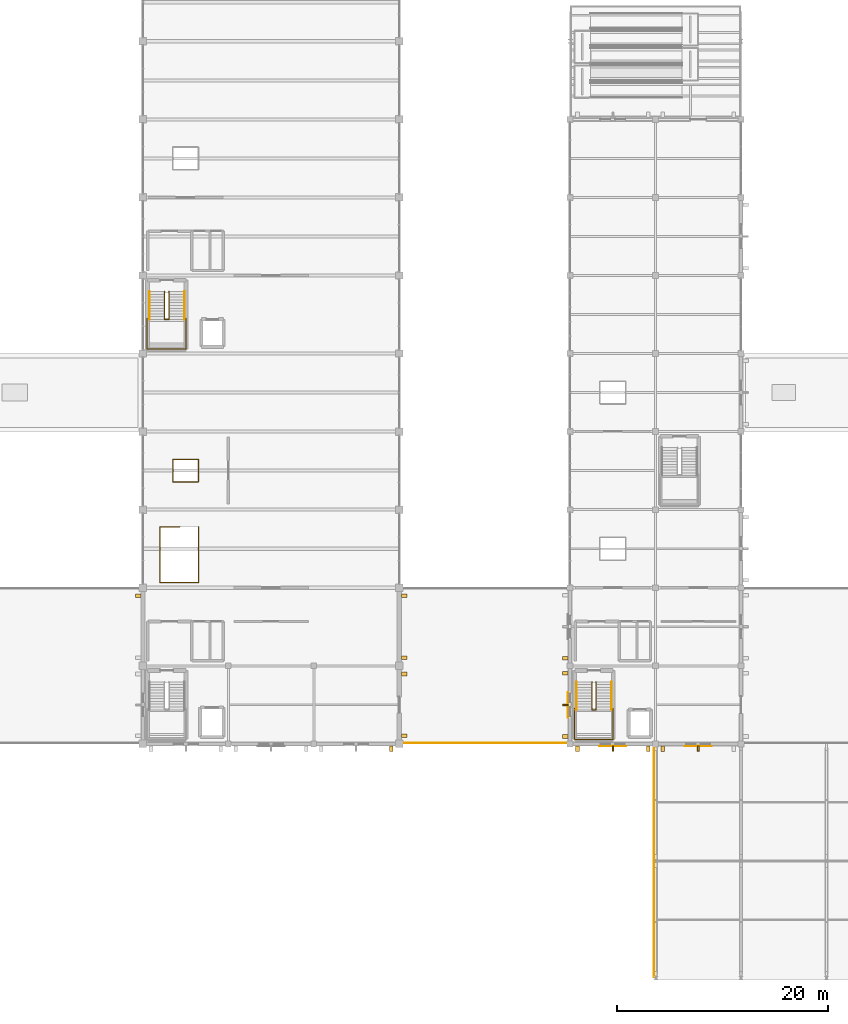
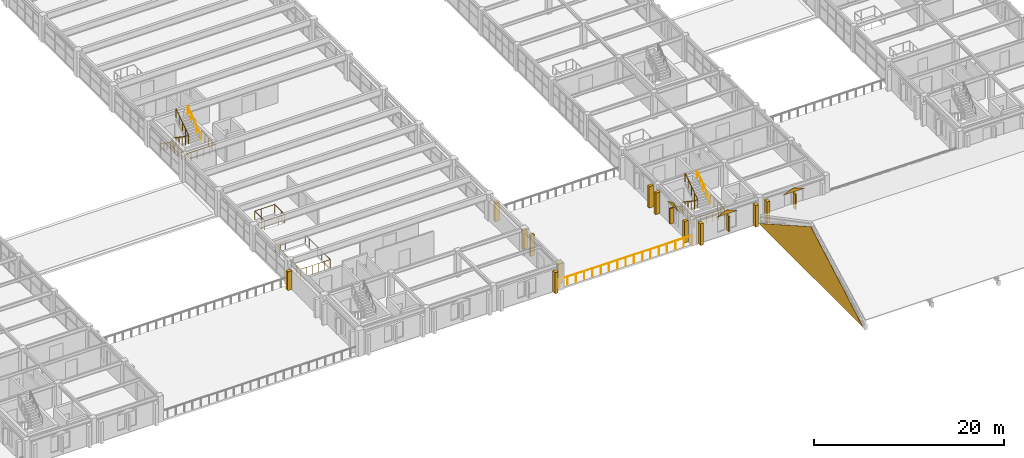
# One storey, part 114 of 121: 15 shading devices, 11 railings, 4 coverings.
"""IFC4 building model written with IfcOpenShell, lengths in metres."""

from ifc_helpers import new_model, si_unit, direction, frame, origin, origin_2d, place, context, subcontext, project, spatial, polyline, rectangle, circle, outline, extrude, material, layer, layer_set, type_object, element, save


model = new_model("IFC4")

# Units and contexts
model_context = context("Model", 3, precision=1e-05, world=origin(), true_north=direction((0.0, 1.0)))
body_context = subcontext(model_context, "Body", "Model", "MODEL_VIEW")
ifc_project = project(units=[si_unit("LENGTHUNIT", "METRE"), si_unit("AREAUNIT", "SQUARE_METRE"), si_unit("VOLUMEUNIT", "CUBIC_METRE"), si_unit("PLANEANGLEUNIT", "RADIAN"), si_unit("MASSUNIT", "GRAM", prefix="KILO")], contexts=[model_context])

# Site, building, storey
site_placement = place(None, origin())
site = spatial("IfcSite", under=ifc_project, at=site_placement, CompositionType="ELEMENT")
building_placement = place(site_placement, origin())
building = spatial("IfcBuilding", under=site, at=building_placement, Name="Cimatlan Art Gallery", CompositionType="ELEMENT")
storey_placement = place(building_placement, frame((0.0, 0.0, 10.199951171875)))
storey = spatial("IfcBuildingStorey", under=building, at=storey_placement, Name="L02", CompositionType="ELEMENT", Elevation=10.199951171875)

# Coverings
ifc_material_1 = material(Name="Queretaro cantera limestone ashlar hood-mould", Category="masonry")
ifc_layer = layer(ifc_material_1, 0.0419921875)
ifc_layer_set = layer_set([ifc_layer], Name="Queretaro cantera limestone ashlar hood-mould")
covering_type = type_object("IfcCoveringType", Name="COV-CLAD-CANTERA-42", PredefinedType="CLADDING", material=ifc_layer_set)
covering_1_placement = place(storey_placement, frame((123.3798828125, 1.800048828125, -0.050048828125), z_axis=(1.0, 0.0, 0.0), x_axis=(0.0, 1.0, 0.0)))
element("IfcCovering", 1, at=covering_1_placement, inside=storey, type_object=covering_type, Name="CLD-GABLE-AUD-W", PredefinedType="CLADDING", context=body_context, shape_type="SweptSolid", body=[
    extrude(outline(polyline([(0.0, 0.0), (22.0, 0.0), (11.0, 6.25), (0.0, 0.0)])), origin(), (0.0, 0.0, -1.0), 0.0419921875),
])
covering_2_placement = place(storey_placement, frame((120.72998046875, 23.721923828125, 2.610107421875), z_axis=(0.0, 1.0, 0.0), x_axis=(-1.0, 0.0, 0.0)))
element("IfcCovering", 2, at=covering_2_placement, inside=storey, type_object=covering_type, Name="CLD-054", PredefinedType="CLADDING", context=body_context, shape_type="SweptSolid", body=[
    extrude(outline(polyline([(0.0, 0.0), (2.56005859375, 0.0), (1.280029296875, 0.52001953125), (0.0, 0.0)])), origin(), (0.0, 0.0, -1.0), 0.0419921875),
])
covering_3_placement = place(storey_placement, frame((115.221923828125, 26.39990234375, 2.630126953125), z_axis=(1.0, 0.0, 0.0), x_axis=(0.0, 1.0, 0.0)))
element("IfcCovering", 3, at=covering_3_placement, inside=storey, type_object=covering_type, Name="CLD-055", PredefinedType="CLADDING", context=body_context, shape_type="SweptSolid", body=[
    extrude(outline(polyline([(0.0, 0.0), (2.400146484375, 0.0), (1.2001953125, 0.52001953125), (0.0, 0.0)])), origin(), (0.0, 0.0, -1.0), 0.0419921875),
])
covering_4_placement = place(storey_placement, frame((128.830078125, 23.721923828125, 2.610107421875), z_axis=(0.0, 1.0, 0.0), x_axis=(-1.0, 0.0, 0.0)))
element("IfcCovering", 4, at=covering_4_placement, inside=storey, type_object=covering_type, Name="CLD-057", PredefinedType="CLADDING", context=body_context, shape_type="SweptSolid", body=[
    extrude(outline(polyline([(0.0, 0.0), (2.56005859375, 0.0), (1.280029296875, 0.52001953125), (0.0, 0.0)])), origin(), (0.0, 0.0, -1.0), 0.0419921875),
])

# Railings
ifc_material_2 = material(Name="Anodised bronze and laminated glass balustrade", Category="glass")
railing_type_1 = type_object("IfcRailingType", Name="RL-BAL-EXT-1100", PredefinedType="BALUSTRADE", material=ifc_material_2)
railing_1_placement = place(storey_placement, frame((99.239990234375, 23.97998046875, 0.0)))
element("IfcRailing", 5, at=railing_1_placement, inside=storey, type_object=railing_type_1, Name="GR-TER-10", PredefinedType="BALUSTRADE", context=body_context, shape_type="SweptSolid", body=[
    extrude(circle(Radius=0.02587890625, at=origin_2d()), frame((0.0, 0.0, 1.09423828125), z_axis=(1.0, 0.0, 0.0), x_axis=(0.0, 1.0, 0.0)), (0.0, 0.0, 1.0), 16.1201171875),
    extrude(circle(Radius=0.02099609375, at=origin_2d()), origin(), (0.0, 0.0, 1.0), 1.068115234375),
    extrude(circle(Radius=0.02099609375, at=origin_2d()), frame((1.007568359375, 0.0, 0.0)), (0.0, 0.0, 1.0), 1.068115234375),
    extrude(circle(Radius=0.02099609375, at=origin_2d()), frame((2.01513671875, 0.0, 0.0)), (0.0, 0.0, 1.0), 1.068115234375),
    extrude(circle(Radius=0.02099609375, at=origin_2d()), frame((3.0224609375, 0.0, 0.0)), (0.0, 0.0, 1.0), 1.068115234375),
    extrude(circle(Radius=0.02099609375, at=origin_2d()), frame((4.030029296875, 0.0, 0.0)), (0.0, 0.0, 1.0), 1.068115234375),
    extrude(circle(Radius=0.02099609375, at=origin_2d()), frame((5.03759765625, 0.0, 0.0)), (0.0, 0.0, 1.0), 1.068115234375),
    extrude(circle(Radius=0.02099609375, at=origin_2d()), frame((6.044921875, 0.0, 0.0)), (0.0, 0.0, 1.0), 1.068115234375),
    extrude(circle(Radius=0.02099609375, at=origin_2d()), frame((7.052490234375, 0.0, 0.0)), (0.0, 0.0, 1.0), 1.068115234375),
    extrude(circle(Radius=0.02099609375, at=origin_2d()), frame((8.06005859375, 0.0, 0.0)), (0.0, 0.0, 1.0), 1.068115234375),
    extrude(circle(Radius=0.02099609375, at=origin_2d()), frame((9.067626953125, 0.0, 0.0)), (0.0, 0.0, 1.0), 1.068115234375),
    extrude(circle(Radius=0.02099609375, at=origin_2d()), frame((10.0751953125, 0.0, 0.0)), (0.0, 0.0, 1.0), 1.068115234375),
    extrude(circle(Radius=0.02099609375, at=origin_2d()), frame((11.08251953125, 0.0, 0.0)), (0.0, 0.0, 1.0), 1.068115234375),
    extrude(circle(Radius=0.02099609375, at=origin_2d()), frame((12.090087890625, 0.0, 0.0)), (0.0, 0.0, 1.0), 1.068115234375),
    extrude(circle(Radius=0.02099609375, at=origin_2d()), frame((13.09765625, 0.0, 0.0)), (0.0, 0.0, 1.0), 1.068115234375),
    extrude(circle(Radius=0.02099609375, at=origin_2d()), frame((14.10498046875, 0.0, 0.0)), (0.0, 0.0, 1.0), 1.068115234375),
    extrude(circle(Radius=0.02099609375, at=origin_2d()), frame((15.112548828125, 0.0, 0.0)), (0.0, 0.0, 1.0), 1.068115234375),
    extrude(circle(Radius=0.02099609375, at=origin_2d()), frame((16.1201171875, 0.0, 0.0)), (0.0, 0.0, 1.0), 1.068115234375),
])
ifc_material_3 = material(Name="Painted steel and bronze interior balustrade", Category="steel")
railing_type_2 = type_object("IfcRailingType", Name="RL-BAL-INT-1120", PredefinedType="BALUSTRADE", material=ifc_material_3)
railing_2_placement = place(storey_placement, frame((115.81005859375, 27.239990234375, 1.800048828125)))
element("IfcRailing", 6, at=railing_2_placement, inside=storey, type_object=railing_type_2, Name="STR-C4-L02-LGRD", PredefinedType="BALUSTRADE", context=body_context, shape_type="SweptSolid", body=[
    extrude(circle(Radius=0.02392578125, at=origin_2d()), frame((0.0, 0.0, 1.09619140625), z_axis=(0.0, -1.0, 0.0), x_axis=(1.0, 0.0, 0.0)), (0.0, 0.0, 1.0), 2.929931640625),
    extrude(circle(Radius=0.02392578125, at=origin_2d()), frame((0.0, -2.929931640625, 1.09619140625), z_axis=(1.0, 0.0, 0.0), x_axis=(0.0, 1.0, 0.0)), (0.0, 0.0, 1.0), 3.669921875),
    extrude(circle(Radius=0.02392578125, at=origin_2d()), frame((3.669921875, -2.929931640625, 1.09619140625), z_axis=(0.0, 1.0, 0.0), x_axis=(-1.0, 0.0, 0.0)), (0.0, 0.0, 1.0), 2.929931640625),
    extrude(circle(Radius=0.02001953125, at=origin_2d()), origin(), (0.0, 0.0, 1.0), 1.072021484375),
    extrude(circle(Radius=0.02001953125, at=origin_2d()), frame((0.0, -0.732421875, 0.0)), (0.0, 0.0, 1.0), 1.072021484375),
    extrude(circle(Radius=0.02001953125, at=origin_2d()), frame((0.0, -1.46484375, 0.0)), (0.0, 0.0, 1.0), 1.072021484375),
    extrude(circle(Radius=0.02001953125, at=origin_2d()), frame((0.0, -2.197509765625, 0.0)), (0.0, 0.0, 1.0), 1.072021484375),
    extrude(circle(Radius=0.02001953125, at=origin_2d()), frame((0.0, -2.929931640625, 0.0)), (0.0, 0.0, 1.0), 1.072021484375),
    extrude(circle(Radius=0.02001953125, at=origin_2d()), frame((0.73388671875, -2.929931640625, 0.0)), (0.0, 0.0, 1.0), 1.072021484375),
    extrude(circle(Radius=0.02001953125, at=origin_2d()), frame((1.468017578125, -2.929931640625, 0.0)), (0.0, 0.0, 1.0), 1.072021484375),
    extrude(circle(Radius=0.02001953125, at=origin_2d()), frame((2.201904296875, -2.929931640625, 0.0)), (0.0, 0.0, 1.0), 1.072021484375),
    extrude(circle(Radius=0.02001953125, at=origin_2d()), frame((2.93603515625, -2.929931640625, 0.0)), (0.0, 0.0, 1.0), 1.072021484375),
    extrude(circle(Radius=0.02001953125, at=origin_2d()), frame((3.669921875, -2.929931640625, 0.0)), (0.0, 0.0, 1.0), 1.072021484375),
    extrude(circle(Radius=0.02001953125, at=origin_2d()), frame((3.669921875, -2.197509765625, 0.0)), (0.0, 0.0, 1.0), 1.072021484375),
    extrude(circle(Radius=0.02001953125, at=origin_2d()), frame((3.669921875, -1.46484375, 0.0)), (0.0, 0.0, 1.0), 1.072021484375),
    extrude(circle(Radius=0.02001953125, at=origin_2d()), frame((3.669921875, -0.732421875, 0.0)), (0.0, 0.0, 1.0), 1.072021484375),
    extrude(circle(Radius=0.02001953125, at=origin_2d()), frame((3.669921875, 0.0, 0.0)), (0.0, 0.0, 1.0), 1.072021484375),
])
railing_3_placement = place(storey_placement, frame((117.469970703125, 29.780029296875, 0.0)))
element("IfcRailing", 7, at=railing_3_placement, inside=storey, type_object=railing_type_2, Name="STR-C4-L02-GRD", PredefinedType="BALUSTRADE", context=body_context, shape_type="SweptSolid", body=[
    extrude(circle(Radius=0.02392578125, at=origin_2d()), frame((0.0, 0.0, 1.09619140625), z_axis=(0.0, -0.827224042694, 0.561872212509), x_axis=(1.0, 0.0, 0.0)), (0.0, 0.0, 1.0), 3.20361328125),
    extrude(circle(Radius=0.02392578125, at=origin_2d()), frame((0.0, -2.650146484375, 2.89599609375), z_axis=(1.0, 0.0, 0.0), x_axis=(0.0, 1.0, 0.0)), (0.0, 0.0, 1.0), 0.400146484375),
    extrude(circle(Radius=0.02392578125, at=origin_2d()), frame((0.400146484375, -2.650146484375, 2.89599609375), z_axis=(0.0, 0.827224042694, 0.561872212509), x_axis=(-1.0, 0.0, 0.0)), (0.0, 0.0, 1.0), 3.20361328125),
    extrude(circle(Radius=0.02001953125, at=origin_2d()), origin(), (0.0, 0.0, 1.0), 1.072021484375),
    extrude(circle(Radius=0.02001953125, at=origin_2d()), frame((0.0, -0.66259765625, 0.449951171875)), (0.0, 0.0, 1.0), 1.072021484375),
    extrude(circle(Radius=0.02001953125, at=origin_2d()), frame((0.0, -1.3251953125, 0.89990234375)), (0.0, 0.0, 1.0), 1.072021484375),
    extrude(circle(Radius=0.02001953125, at=origin_2d()), frame((0.0, -1.987548828125, 1.35009765625)), (0.0, 0.0, 1.0), 1.072021484375),
    extrude(circle(Radius=0.02001953125, at=origin_2d()), frame((0.0, -2.650146484375, 1.800048828125)), (0.0, 0.0, 1.0), 1.072021484375),
    extrude(circle(Radius=0.02001953125, at=origin_2d()), frame((0.400146484375, -2.650146484375, 1.800048828125)), (0.0, 0.0, 1.0), 1.072021484375),
    extrude(circle(Radius=0.02001953125, at=origin_2d()), frame((0.400146484375, -1.987548828125, 2.25)), (0.0, 0.0, 1.0), 1.072021484375),
    extrude(circle(Radius=0.02001953125, at=origin_2d()), frame((0.400146484375, -1.3251953125, 2.7001953125)), (0.0, 0.0, 1.0), 1.072021484375),
    extrude(circle(Radius=0.02001953125, at=origin_2d()), frame((0.400146484375, -0.66259765625, 3.150146484375)), (0.0, 0.0, 1.0), 1.072021484375),
    extrude(circle(Radius=0.02001953125, at=origin_2d()), frame((0.400146484375, 0.0, 3.60009765625)), (0.0, 0.0, 1.0), 1.072021484375),
])
railing_4_placement = place(storey_placement, frame((75.31005859375, 64.239990234375, 1.800048828125)))
element("IfcRailing", 8, at=railing_4_placement, inside=storey, type_object=railing_type_2, Name="STR-C6-L02-LGRD", PredefinedType="BALUSTRADE", context=body_context, shape_type="SweptSolid", body=[
    extrude(circle(Radius=0.02392578125, at=origin_2d()), frame((0.0, 0.0, 1.09619140625), z_axis=(0.0, -1.0, 0.0), x_axis=(1.0, 0.0, 0.0)), (0.0, 0.0, 1.0), 2.929931640625),
    extrude(circle(Radius=0.02392578125, at=origin_2d()), frame((0.0, -2.929931640625, 1.09619140625), z_axis=(1.0, 0.0, 0.0), x_axis=(0.0, 1.0, 0.0)), (0.0, 0.0, 1.0), 3.669921875),
    extrude(circle(Radius=0.02392578125, at=origin_2d()), frame((3.669921875, -2.929931640625, 1.09619140625), z_axis=(0.0, 1.0, 0.0), x_axis=(-1.0, 0.0, 0.0)), (0.0, 0.0, 1.0), 2.929931640625),
    extrude(circle(Radius=0.02001953125, at=origin_2d()), origin(), (0.0, 0.0, 1.0), 1.072021484375),
    extrude(circle(Radius=0.02001953125, at=origin_2d()), frame((0.0, -0.732421875, 0.0)), (0.0, 0.0, 1.0), 1.072021484375),
    extrude(circle(Radius=0.02001953125, at=origin_2d()), frame((0.0, -1.46484375, 0.0)), (0.0, 0.0, 1.0), 1.072021484375),
    extrude(circle(Radius=0.02001953125, at=origin_2d()), frame((0.0, -2.197509765625, 0.0)), (0.0, 0.0, 1.0), 1.072021484375),
    extrude(circle(Radius=0.02001953125, at=origin_2d()), frame((0.0, -2.929931640625, 0.0)), (0.0, 0.0, 1.0), 1.072021484375),
    extrude(circle(Radius=0.02001953125, at=origin_2d()), frame((0.73388671875, -2.929931640625, 0.0)), (0.0, 0.0, 1.0), 1.072021484375),
    extrude(circle(Radius=0.02001953125, at=origin_2d()), frame((1.468017578125, -2.929931640625, 0.0)), (0.0, 0.0, 1.0), 1.072021484375),
    extrude(circle(Radius=0.02001953125, at=origin_2d()), frame((2.201904296875, -2.929931640625, 0.0)), (0.0, 0.0, 1.0), 1.072021484375),
    extrude(circle(Radius=0.02001953125, at=origin_2d()), frame((2.93603515625, -2.929931640625, 0.0)), (0.0, 0.0, 1.0), 1.072021484375),
    extrude(circle(Radius=0.02001953125, at=origin_2d()), frame((3.669921875, -2.929931640625, 0.0)), (0.0, 0.0, 1.0), 1.072021484375),
    extrude(circle(Radius=0.02001953125, at=origin_2d()), frame((3.669921875, -2.197509765625, 0.0)), (0.0, 0.0, 1.0), 1.072021484375),
    extrude(circle(Radius=0.02001953125, at=origin_2d()), frame((3.669921875, -1.46484375, 0.0)), (0.0, 0.0, 1.0), 1.072021484375),
    extrude(circle(Radius=0.02001953125, at=origin_2d()), frame((3.669921875, -0.732421875, 0.0)), (0.0, 0.0, 1.0), 1.072021484375),
    extrude(circle(Radius=0.02001953125, at=origin_2d()), frame((3.669921875, 0.0, 0.0)), (0.0, 0.0, 1.0), 1.072021484375),
])
railing_5_placement = place(storey_placement, frame((76.969970703125, 66.780029296875, 0.0)))
element("IfcRailing", 9, at=railing_5_placement, inside=storey, type_object=railing_type_2, Name="STR-C6-L02-GRD", PredefinedType="BALUSTRADE", context=body_context, shape_type="SweptSolid", body=[
    extrude(circle(Radius=0.02392578125, at=origin_2d()), frame((0.0, 0.0, 1.09619140625), z_axis=(0.0, -0.827224042694, 0.561872212509), x_axis=(1.0, 0.0, 0.0)), (0.0, 0.0, 1.0), 3.20361328125),
    extrude(circle(Radius=0.02392578125, at=origin_2d()), frame((0.0, -2.650146484375, 2.89599609375), z_axis=(1.0, 0.0, 0.0), x_axis=(0.0, 1.0, 0.0)), (0.0, 0.0, 1.0), 0.400146484375),
    extrude(circle(Radius=0.02392578125, at=origin_2d()), frame((0.400146484375, -2.650146484375, 2.89599609375), z_axis=(0.0, 0.827224042694, 0.561872212509), x_axis=(-1.0, 0.0, 0.0)), (0.0, 0.0, 1.0), 3.20361328125),
    extrude(circle(Radius=0.02001953125, at=origin_2d()), origin(), (0.0, 0.0, 1.0), 1.072021484375),
    extrude(circle(Radius=0.02001953125, at=origin_2d()), frame((0.0, -0.66259765625, 0.449951171875)), (0.0, 0.0, 1.0), 1.072021484375),
    extrude(circle(Radius=0.02001953125, at=origin_2d()), frame((0.0, -1.3251953125, 0.89990234375)), (0.0, 0.0, 1.0), 1.072021484375),
    extrude(circle(Radius=0.02001953125, at=origin_2d()), frame((0.0, -1.987548828125, 1.35009765625)), (0.0, 0.0, 1.0), 1.072021484375),
    extrude(circle(Radius=0.02001953125, at=origin_2d()), frame((0.0, -2.650146484375, 1.800048828125)), (0.0, 0.0, 1.0), 1.072021484375),
    extrude(circle(Radius=0.02001953125, at=origin_2d()), frame((0.400146484375, -2.650146484375, 1.800048828125)), (0.0, 0.0, 1.0), 1.072021484375),
    extrude(circle(Radius=0.02001953125, at=origin_2d()), frame((0.400146484375, -1.987548828125, 2.25)), (0.0, 0.0, 1.0), 1.072021484375),
    extrude(circle(Radius=0.02001953125, at=origin_2d()), frame((0.400146484375, -1.3251953125, 2.7001953125)), (0.0, 0.0, 1.0), 1.072021484375),
    extrude(circle(Radius=0.02001953125, at=origin_2d()), frame((0.400146484375, -0.66259765625, 3.150146484375)), (0.0, 0.0, 1.0), 1.072021484375),
    extrude(circle(Radius=0.02001953125, at=origin_2d()), frame((0.400146484375, 0.0, 3.60009765625)), (0.0, 0.0, 1.0), 1.072021484375),
])
railing_6_placement = place(storey_placement, frame((78.39990234375, 44.47998046875, 0.0)))
element("IfcRailing", 10, at=railing_6_placement, inside=storey, type_object=railing_type_2, Name="GR-FS95-L02", PredefinedType="BALUSTRADE", context=body_context, shape_type="SweptSolid", body=[
    extrude(circle(Radius=0.02392578125, at=origin_2d()), frame((0.0, 0.0, 1.09619140625), z_axis=(-1.0, 0.0, 0.0), x_axis=(0.0, -1.0, 0.0)), (0.0, 0.0, 1.0), 1.869873046875),
    extrude(circle(Radius=0.02392578125, at=origin_2d()), frame((-1.869873046875, 0.0, 1.09619140625), z_axis=(0.0, -1.0, 0.0), x_axis=(1.0, 0.0, 0.0)), (0.0, 0.0, 1.0), 5.300048828125),
    extrude(circle(Radius=0.02392578125, at=origin_2d()), frame((-1.869873046875, -5.300048828125, 1.09619140625), z_axis=(1.0, 0.0, 0.0), x_axis=(0.0, 1.0, 0.0)), (0.0, 0.0, 1.0), 3.639892578125),
    extrude(circle(Radius=0.02392578125, at=origin_2d()), frame((1.77001953125, -5.300048828125, 1.09619140625), z_axis=(0.0, 1.0, 0.0), x_axis=(-1.0, 0.0, 0.0)), (0.0, 0.0, 1.0), 5.300048828125),
    extrude(circle(Radius=0.02001953125, at=origin_2d()), origin(), (0.0, 0.0, 1.0), 1.072021484375),
    extrude(circle(Radius=0.02001953125, at=origin_2d()), frame((-0.623291015625, 0.0, 0.0)), (0.0, 0.0, 1.0), 1.072021484375),
    extrude(circle(Radius=0.02001953125, at=origin_2d()), frame((-1.24658203125, 0.0, 0.0)), (0.0, 0.0, 1.0), 1.072021484375),
    extrude(circle(Radius=0.02001953125, at=origin_2d()), frame((-1.869873046875, 0.0, 0.0)), (0.0, 0.0, 1.0), 1.072021484375),
    extrude(circle(Radius=0.02001953125, at=origin_2d()), frame((-1.869873046875, -0.88330078125, 0.0)), (0.0, 0.0, 1.0), 1.072021484375),
    extrude(circle(Radius=0.02001953125, at=origin_2d()), frame((-1.869873046875, -1.7666015625, 0.0)), (0.0, 0.0, 1.0), 1.072021484375),
    extrude(circle(Radius=0.02001953125, at=origin_2d()), frame((-1.869873046875, -2.64990234375, 0.0)), (0.0, 0.0, 1.0), 1.072021484375),
    extrude(circle(Radius=0.02001953125, at=origin_2d()), frame((-1.869873046875, -3.533447265625, 0.0)), (0.0, 0.0, 1.0), 1.072021484375),
    extrude(circle(Radius=0.02001953125, at=origin_2d()), frame((-1.869873046875, -4.416748046875, 0.0)), (0.0, 0.0, 1.0), 1.072021484375),
    extrude(circle(Radius=0.02001953125, at=origin_2d()), frame((-1.869873046875, -5.300048828125, 0.0)), (0.0, 0.0, 1.0), 1.072021484375),
    extrude(circle(Radius=0.02001953125, at=origin_2d()), frame((-1.141845703125, -5.300048828125, 0.0)), (0.0, 0.0, 1.0), 1.072021484375),
    extrude(circle(Radius=0.02001953125, at=origin_2d()), frame((-0.413818359375, -5.300048828125, 0.0)), (0.0, 0.0, 1.0), 1.072021484375),
    extrude(circle(Radius=0.02001953125, at=origin_2d()), frame((0.31396484375, -5.300048828125, 0.0)), (0.0, 0.0, 1.0), 1.072021484375),
    extrude(circle(Radius=0.02001953125, at=origin_2d()), frame((1.0419921875, -5.300048828125, 0.0)), (0.0, 0.0, 1.0), 1.072021484375),
    extrude(circle(Radius=0.02001953125, at=origin_2d()), frame((1.77001953125, -5.300048828125, 0.0)), (0.0, 0.0, 1.0), 1.072021484375),
    extrude(circle(Radius=0.02001953125, at=origin_2d()), frame((1.77001953125, -4.416748046875, 0.0)), (0.0, 0.0, 1.0), 1.072021484375),
    extrude(circle(Radius=0.02001953125, at=origin_2d()), frame((1.77001953125, -3.533447265625, 0.0)), (0.0, 0.0, 1.0), 1.072021484375),
    extrude(circle(Radius=0.02001953125, at=origin_2d()), frame((1.77001953125, -2.64990234375, 0.0)), (0.0, 0.0, 1.0), 1.072021484375),
    extrude(circle(Radius=0.02001953125, at=origin_2d()), frame((1.77001953125, -1.7666015625, 0.0)), (0.0, 0.0, 1.0), 1.072021484375),
    extrude(circle(Radius=0.02001953125, at=origin_2d()), frame((1.77001953125, -0.88330078125, 0.0)), (0.0, 0.0, 1.0), 1.072021484375),
    extrude(circle(Radius=0.02001953125, at=origin_2d()), frame((1.77001953125, 0.0, 0.0)), (0.0, 0.0, 1.0), 1.072021484375),
])
railing_7_placement = place(storey_placement, frame((77.739990234375, 48.739990234375, 0.0)))
element("IfcRailing", 11, at=railing_7_placement, inside=storey, type_object=railing_type_2, Name="GR-OCU-L02-B3S", PredefinedType="BALUSTRADE", context=body_context, shape_type="SweptSolid", body=[
    extrude(circle(Radius=0.02392578125, at=origin_2d()), frame((0.0, 0.0, 1.09619140625), z_axis=(1.0, 0.0, 0.0), x_axis=(0.0, 1.0, 0.0)), (0.0, 0.0, 1.0), 2.419921875),
    extrude(circle(Radius=0.02392578125, at=origin_2d()), frame((2.419921875, 0.0, 1.09619140625), z_axis=(0.0, 1.0, 0.0), x_axis=(-1.0, 0.0, 0.0)), (0.0, 0.0, 1.0), 2.1201171875),
    extrude(circle(Radius=0.02392578125, at=origin_2d()), frame((2.419921875, 2.1201171875, 1.09619140625), z_axis=(-1.0, 0.0, 0.0), x_axis=(0.0, -1.0, 0.0)), (0.0, 0.0, 1.0), 2.419921875),
    extrude(circle(Radius=0.02392578125, at=origin_2d()), frame((0.0, 2.1201171875, 1.09619140625), z_axis=(0.0, -1.0, 0.0), x_axis=(1.0, 0.0, 0.0)), (0.0, 0.0, 1.0), 2.080078125),
    extrude(circle(Radius=0.02001953125, at=origin_2d()), origin(), (0.0, 0.0, 1.0), 1.072021484375),
    extrude(circle(Radius=0.02001953125, at=origin_2d()), frame((0.806640625, 0.0, 0.0)), (0.0, 0.0, 1.0), 1.072021484375),
    extrude(circle(Radius=0.02001953125, at=origin_2d()), frame((1.61328125, 0.0, 0.0)), (0.0, 0.0, 1.0), 1.072021484375),
    extrude(circle(Radius=0.02001953125, at=origin_2d()), frame((2.419921875, 0.0, 0.0)), (0.0, 0.0, 1.0), 1.072021484375),
    extrude(circle(Radius=0.02001953125, at=origin_2d()), frame((2.419921875, 0.706787109375, 0.0)), (0.0, 0.0, 1.0), 1.072021484375),
    extrude(circle(Radius=0.02001953125, at=origin_2d()), frame((2.419921875, 1.413330078125, 0.0)), (0.0, 0.0, 1.0), 1.072021484375),
    extrude(circle(Radius=0.02001953125, at=origin_2d()), frame((2.419921875, 2.1201171875, 0.0)), (0.0, 0.0, 1.0), 1.072021484375),
    extrude(circle(Radius=0.02001953125, at=origin_2d()), frame((1.61328125, 2.1201171875, 0.0)), (0.0, 0.0, 1.0), 1.072021484375),
    extrude(circle(Radius=0.02001953125, at=origin_2d()), frame((0.806640625, 2.1201171875, 0.0)), (0.0, 0.0, 1.0), 1.072021484375),
    extrude(circle(Radius=0.02001953125, at=origin_2d()), frame((0.0, 2.1201171875, 0.0)), (0.0, 0.0, 1.0), 1.072021484375),
    extrude(circle(Radius=0.02001953125, at=origin_2d()), frame((0.0, 1.4267578125, 0.0)), (0.0, 0.0, 1.0), 1.072021484375),
    extrude(circle(Radius=0.02001953125, at=origin_2d()), frame((0.0, 0.7333984375, 0.0)), (0.0, 0.0, 1.0), 1.072021484375),
    extrude(circle(Radius=0.02001953125, at=origin_2d()), frame((0.0, 0.0400390625, 0.0)), (0.0, 0.0, 1.0), 1.072021484375),
])
ifc_material_4 = material(Name="Brushed bronze stair handrail")
railing_type_3 = type_object("IfcRailingType", Name="RL-HND-INT-920", PredefinedType="HANDRAIL", material=ifc_material_4)
railing_8_placement = place(storey_placement, frame((116.010009765625, 29.780029296875, 0.0)))
element("IfcRailing", 12, at=railing_8_placement, inside=storey, type_object=railing_type_3, Name="STR-C4-L02-HR1", PredefinedType="HANDRAIL", context=body_context, shape_type="SweptSolid", body=[
    extrude(circle(Radius=0.02197265625, at=origin_2d()), frame((0.0, 0.0, 0.89794921875), z_axis=(0.0, -0.827224042694, 0.561872212509), x_axis=(1.0, 0.0, 0.0)), (0.0, 0.0, 1.0), 3.20361328125),
    extrude(circle(Radius=0.01904296875, at=origin_2d()), origin(), (0.0, 0.0, 1.0), 0.8759765625),
    extrude(circle(Radius=0.01904296875, at=origin_2d()), frame((0.0, -0.66259765625, 0.449951171875)), (0.0, 0.0, 1.0), 0.8759765625),
    extrude(circle(Radius=0.01904296875, at=origin_2d()), frame((0.0, -1.3251953125, 0.89990234375)), (0.0, 0.0, 1.0), 0.8759765625),
    extrude(circle(Radius=0.01904296875, at=origin_2d()), frame((0.0, -1.987548828125, 1.35009765625)), (0.0, 0.0, 1.0), 0.8759765625),
    extrude(circle(Radius=0.01904296875, at=origin_2d()), frame((0.0, -2.650146484375, 1.800048828125)), (0.0, 0.0, 1.0), 0.8759765625),
])
railing_9_placement = place(storey_placement, frame((119.330078125, 27.1298828125, 1.800048828125)))
element("IfcRailing", 13, at=railing_9_placement, inside=storey, type_object=railing_type_3, Name="STR-C4-L02-HR2", PredefinedType="HANDRAIL", context=body_context, shape_type="SweptSolid", body=[
    extrude(circle(Radius=0.02197265625, at=origin_2d()), frame((0.0, 0.0, 0.89794921875), z_axis=(0.0, 0.827224042694, 0.561872212509), x_axis=(-1.0, 0.0, 0.0)), (0.0, 0.0, 1.0), 3.20361328125),
    extrude(circle(Radius=0.01904296875, at=origin_2d()), origin(), (0.0, 0.0, 1.0), 0.8759765625),
    extrude(circle(Radius=0.01904296875, at=origin_2d()), frame((0.0, 0.66259765625, 0.449951171875)), (0.0, 0.0, 1.0), 0.8759765625),
    extrude(circle(Radius=0.01904296875, at=origin_2d()), frame((0.0, 1.3251953125, 0.89990234375)), (0.0, 0.0, 1.0), 0.8759765625),
    extrude(circle(Radius=0.01904296875, at=origin_2d()), frame((0.0, 1.987548828125, 1.35009765625)), (0.0, 0.0, 1.0), 0.8759765625),
    extrude(circle(Radius=0.01904296875, at=origin_2d()), frame((0.0, 2.650146484375, 1.800048828125)), (0.0, 0.0, 1.0), 0.8759765625),
])
railing_10_placement = place(storey_placement, frame((75.510009765625, 66.780029296875, 0.0)))
element("IfcRailing", 14, at=railing_10_placement, inside=storey, type_object=railing_type_3, Name="STR-C6-L02-HR1", PredefinedType="HANDRAIL", context=body_context, shape_type="SweptSolid", body=[
    extrude(circle(Radius=0.02197265625, at=origin_2d()), frame((0.0, 0.0, 0.89794921875), z_axis=(0.0, -0.827224042694, 0.561872212509), x_axis=(1.0, 0.0, 0.0)), (0.0, 0.0, 1.0), 3.20361328125),
    extrude(circle(Radius=0.01904296875, at=origin_2d()), origin(), (0.0, 0.0, 1.0), 0.8759765625),
    extrude(circle(Radius=0.01904296875, at=origin_2d()), frame((0.0, -0.66259765625, 0.449951171875)), (0.0, 0.0, 1.0), 0.8759765625),
    extrude(circle(Radius=0.01904296875, at=origin_2d()), frame((0.0, -1.3251953125, 0.89990234375)), (0.0, 0.0, 1.0), 0.8759765625),
    extrude(circle(Radius=0.01904296875, at=origin_2d()), frame((0.0, -1.987548828125, 1.35009765625)), (0.0, 0.0, 1.0), 0.8759765625),
    extrude(circle(Radius=0.01904296875, at=origin_2d()), frame((0.0, -2.650146484375, 1.800048828125)), (0.0, 0.0, 1.0), 0.8759765625),
])
railing_11_placement = place(storey_placement, frame((78.830078125, 64.1298828125, 1.800048828125)))
element("IfcRailing", 15, at=railing_11_placement, inside=storey, type_object=railing_type_3, Name="STR-C6-L02-HR2", PredefinedType="HANDRAIL", context=body_context, shape_type="SweptSolid", body=[
    extrude(circle(Radius=0.02197265625, at=origin_2d()), frame((0.0, 0.0, 0.89794921875), z_axis=(0.0, 0.827224042694, 0.561872212509), x_axis=(-1.0, 0.0, 0.0)), (0.0, 0.0, 1.0), 3.20361328125),
    extrude(circle(Radius=0.01904296875, at=origin_2d()), origin(), (0.0, 0.0, 1.0), 0.8759765625),
    extrude(circle(Radius=0.01904296875, at=origin_2d()), frame((0.0, 0.66259765625, 0.449951171875)), (0.0, 0.0, 1.0), 0.8759765625),
    extrude(circle(Radius=0.01904296875, at=origin_2d()), frame((0.0, 1.3251953125, 0.89990234375)), (0.0, 0.0, 1.0), 0.8759765625),
    extrude(circle(Radius=0.01904296875, at=origin_2d()), frame((0.0, 1.987548828125, 1.35009765625)), (0.0, 0.0, 1.0), 0.8759765625),
    extrude(circle(Radius=0.01904296875, at=origin_2d()), frame((0.0, 2.650146484375, 1.800048828125)), (0.0, 0.0, 1.0), 0.8759765625),
])

# Shading devices
ifc_material_5 = material(Name="Queretaro cantera limestone buttress pilaster", Category="masonry")
shading_device_type_1 = type_object("IfcShadingDeviceType", Name="SHD-BUT-520", PredefinedType="USERDEFINED", material=ifc_material_5)
shading_device_1_placement = place(storey_placement, frame((74.44189453125, 37.926025390625, 0.06005859375), z_axis=(0.0, 0.0, 1.0), x_axis=(0.0, 1.0, 0.0)))
element("IfcShadingDevice", 16, at=shading_device_1_placement, inside=storey, type_object=shading_device_type_1, Name="BUT-0276", ObjectType="FIN", PredefinedType="USERDEFINED", context=body_context, shape_type="SweptSolid", body=[
    extrude(rectangle(XDim=0.340087890625, YDim=0.52001953125, at=origin_2d()), origin(), (0.0, 0.0, 1.0), 2.388916015625),
])
for number, where, z_axis, x_axis, name in (
    (17, (98.426025390625, 23.44189453125, 0.06005859375), (0.0, 0.0, 1.0), (-1.0, 0.0, 0.0), "BUT-0283"),
    (18, (99.657958984375, 30.52587890625, 0.06005859375), (0.0, 0.0, 1.0), (0.0, -1.0, 0.0), "BUT-0285"),
    (19, (99.657958984375, 24.674072265625, 0.06005859375), (0.0, 0.0, 1.0), (0.0, -1.0, 0.0), "BUT-0286"),
):
    element("IfcShadingDevice", number, at=place(storey_placement, frame(where, z_axis=z_axis, x_axis=x_axis)), inside=storey, type_object=shading_device_type_1, Name=name, ObjectType="FIN", PredefinedType="USERDEFINED", context=body_context, shape_type="SweptSolid", body=[
        extrude(rectangle(XDim=0.340087890625, YDim=0.52001953125, at=origin_2d()), origin(), (0.0, 0.0, 1.0), 2.701904296875),
    ])
for number, where, z_axis, x_axis, name in (
    (20, (99.657958984375, 37.926025390625, 0.06005859375), (0.0, 0.0, 1.0), (0.0, -1.0, 0.0), "BUT-0287"),
    (21, (99.657958984375, 32.073974609375, 0.06005859375), (0.0, 0.0, 1.0), (0.0, -1.0, 0.0), "BUT-0288"),
):
    element("IfcShadingDevice", number, at=place(storey_placement, frame(where, z_axis=z_axis, x_axis=x_axis)), inside=storey, type_object=shading_device_type_1, Name=name, ObjectType="FIN", PredefinedType="USERDEFINED", context=body_context, shape_type="SweptSolid", body=[
        extrude(rectangle(XDim=0.340087890625, YDim=0.52001953125, at=origin_2d()), origin(), (0.0, 0.0, 1.0), 2.388916015625),
    ])
for number, where, z_axis, x_axis, name in (
    (22, (122.801025390625, 23.44189453125, 0.06005859375), (0.0, 0.0, 1.0), (-1.0, 0.0, 0.0), "BUT-0291"),
    (23, (116.09912109375, 23.44189453125, 0.06005859375), (0.0, 0.0, 1.0), (-1.0, 0.0, 0.0), "BUT-0292"),
    (24, (114.94189453125, 24.59912109375, 0.06005859375), (0.0, 0.0, 1.0), (0.0, 1.0, 0.0), "BUT-0293"),
    (25, (114.94189453125, 30.60107421875, 0.06005859375), (0.0, 0.0, 1.0), (0.0, 1.0, 0.0), "BUT-0294"),
    (26, (114.94189453125, 31.9990234375, 0.06005859375), (0.0, 0.0, 1.0), (0.0, 1.0, 0.0), "BUT-0295"),
    (27, (124.198974609375, 23.44189453125, 0.06005859375), (0.0, 0.0, 1.0), (-1.0, 0.0, 0.0), "BUT-0300"),
):
    element("IfcShadingDevice", number, at=place(storey_placement, frame(where, z_axis=z_axis, x_axis=x_axis)), inside=storey, type_object=shading_device_type_1, Name=name, ObjectType="FIN", PredefinedType="USERDEFINED", context=body_context, shape_type="SweptSolid", body=[
        extrude(rectangle(XDim=0.340087890625, YDim=0.52001953125, at=origin_2d()), origin(), (0.0, 0.0, 1.0), 2.778076171875),
    ])
ifc_material_6 = material(Name="Queretaro cantera limestone lancet mullion fin", Category="masonry")
shading_device_type_2 = type_object("IfcShadingDeviceType", Name="SHD-FIN-480", PredefinedType="USERDEFINED", material=ifc_material_6)
shading_device_2_placement = place(storey_placement, frame((119.449951171875, 23.4619140625, 0.60009765625), z_axis=(0.0, 0.0, 1.0), x_axis=(-1.0, 0.0, 0.0)))
element("IfcShadingDevice", 28, at=shading_device_2_placement, inside=storey, type_object=shading_device_type_2, Name="FIN-081", ObjectType="FIN", PredefinedType="USERDEFINED", context=body_context, shape_type="SweptSolid", body=[
    extrude(rectangle(XDim=0.159912109375, YDim=0.47998046875, at=origin_2d()), origin(), (0.0, 0.0, 1.0), 1.97998046875),
])
shading_device_3_placement = place(storey_placement, frame((114.9619140625, 27.60009765625, 0.60009765625), z_axis=(0.0, 0.0, 1.0), x_axis=(0.0, 1.0, 0.0)))
element("IfcShadingDevice", 29, at=shading_device_3_placement, inside=storey, type_object=shading_device_type_2, Name="FIN-082", ObjectType="FIN", PredefinedType="USERDEFINED", context=body_context, shape_type="SweptSolid", body=[
    extrude(rectangle(XDim=0.159912109375, YDim=0.47998046875, at=origin_2d()), origin(), (0.0, 0.0, 1.0), 2.0),
])
shading_device_4_placement = place(storey_placement, frame((127.550048828125, 23.4619140625, 0.60009765625), z_axis=(0.0, 0.0, 1.0), x_axis=(-1.0, 0.0, 0.0)))
element("IfcShadingDevice", 30, at=shading_device_4_placement, inside=storey, type_object=shading_device_type_2, Name="FIN-085", ObjectType="FIN", PredefinedType="USERDEFINED", context=body_context, shape_type="SweptSolid", body=[
    extrude(rectangle(XDim=0.159912109375, YDim=0.47998046875, at=origin_2d()), origin(), (0.0, 0.0, 1.0), 1.97998046875),
])

save(model, "model.ifc")
